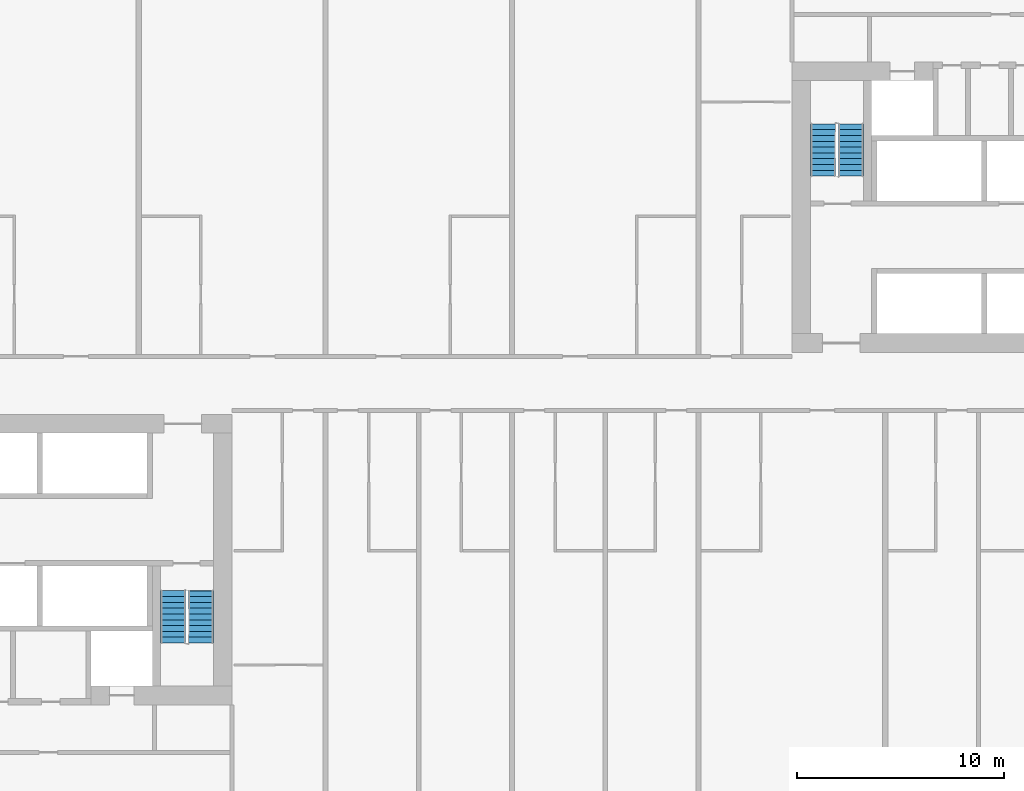
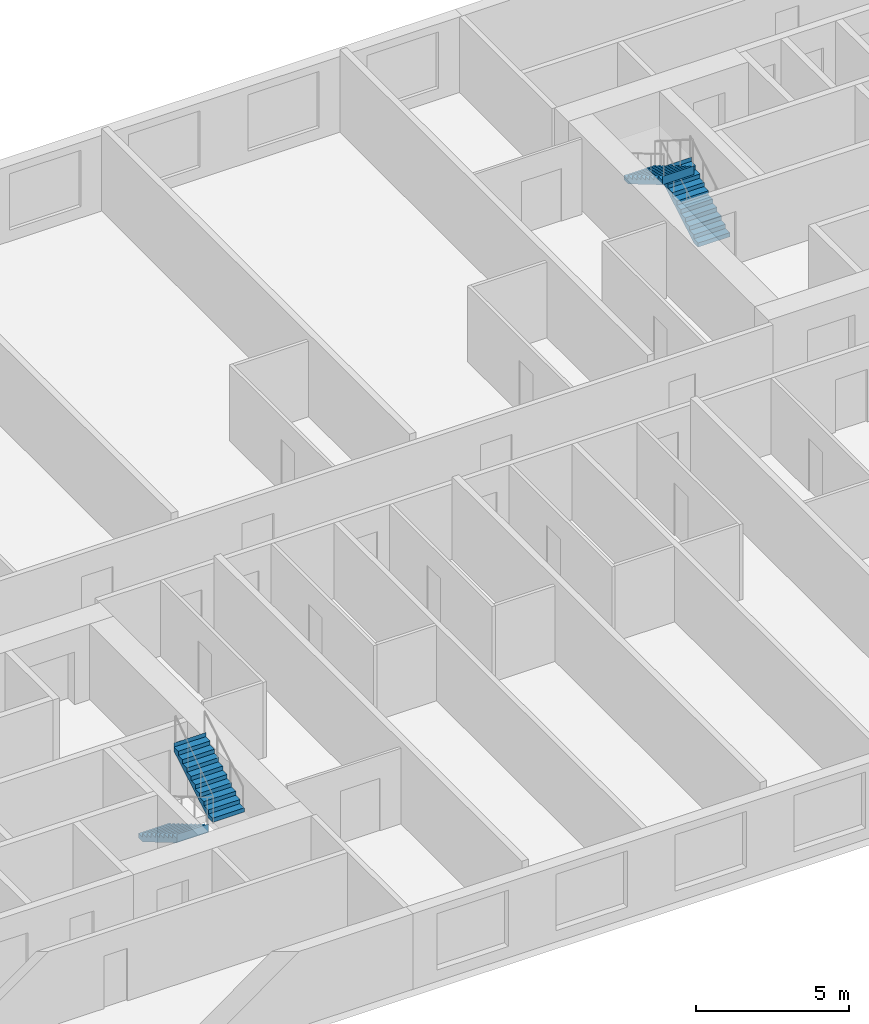
# One storey, part 10 of 12: 4 stair flights, 2 elements without a shape of their own.
"""IFC4 building model written with IfcOpenShell, lengths in metres."""

from ifc_helpers import new_model, si_unit, direction, frame, origin, place, context, subcontext, project, spatial, faceted_brep, material, type_object, element, aggregate, save


model = new_model("IFC4")

# Units and contexts
model_context = context("Model", 3, precision=1e-05, world=origin(), true_north=direction((0.0, 1.0)))
body_context = subcontext(model_context, "Body", "Model", "MODEL_VIEW")
ifc_project = project(units=[si_unit("LENGTHUNIT", "METRE"), si_unit("AREAUNIT", "SQUARE_METRE"), si_unit("VOLUMEUNIT", "CUBIC_METRE"), si_unit("PLANEANGLEUNIT", "RADIAN"), si_unit("MASSUNIT", "GRAM", prefix="KILO")], contexts=[model_context])

# Site, building, storey
site_placement = place(None, origin())
site = spatial("IfcSite", under=ifc_project, at=site_placement, CompositionType="ELEMENT")
building_placement = place(site_placement, origin())
building = spatial("IfcBuilding", under=site, at=building_placement, Name="Kajstack Hotel Tower", CompositionType="ELEMENT")
storey_placement = place(building_placement, frame((0.0, 0.0, 86.39990234375)))
storey = spatial("IfcBuildingStorey", under=building, at=storey_placement, Name="L17", CompositionType="ELEMENT", Elevation=86.39990234375)

# Stair, stair flights
ifc_material = material(Name="Concrete C40/50", Category="concrete")
stair_type = type_object("IfcStairType", Name="Exit stair 1200", PredefinedType="HALF_TURN_STAIR", material=ifc_material)
stair_1_placement = place(storey_placement, origin())
stair_1 = element("IfcStair", 1, at=stair_1_placement, inside=storey, type_object=stair_type, Name="L17 stair W2", PredefinedType="HALF_TURN_STAIR")
stair_flight_type = type_object("IfcStairFlightType", Name="Exit stair flight 1200", PredefinedType="STRAIGHT", material=ifc_material)
stair_flight_1_placement = place(storey_placement, frame((-16.35009765625, -10.0, 0.0), z_axis=(0.0, 0.0, 1.0), x_axis=(0.0, -1.0, 0.0)))
stair_flight_1 = element("IfcStairFlight", 2, at=stair_flight_1_placement, type_object=stair_flight_type, Name="W2 flight 1", NumberOfRisers=10, NumberOfTreads=9, PredefinedType="STRAIGHT", RiserHeight=0.165, TreadLength=0.28, context=body_context, shape_type="Brep", body=[
    faceted_brep([(0.295654296875, -0.60009765625, 0.0), (2.5205078125, -0.60009765625, 1.31103515625), (2.5205078125, -0.60009765625, 1.64990234375), (2.52001953125, -0.60009765625, 1.64990234375), (2.52001953125, -0.60009765625, 1.485107421875), (2.239990234375, -0.60009765625, 1.485107421875), (2.239990234375, -0.60009765625, 1.320068359375), (1.9599609375, -0.60009765625, 1.320068359375), (1.9599609375, -0.60009765625, 1.155029296875), (1.679931640625, -0.60009765625, 1.155029296875), (1.679931640625, -0.60009765625, 0.989990234375), (1.39990234375, -0.60009765625, 0.989990234375), (1.39990234375, -0.60009765625, 0.824951171875), (1.1201171875, -0.60009765625, 0.824951171875), (1.1201171875, -0.60009765625, 0.659912109375), (0.840087890625, -0.60009765625, 0.659912109375), (0.840087890625, -0.60009765625, 0.4951171875), (0.56005859375, -0.60009765625, 0.4951171875), (0.56005859375, -0.60009765625, 0.330078125), (0.280029296875, -0.60009765625, 0.330078125), (0.280029296875, -0.60009765625, 0.1650390625), (-0.00048828125, -0.60009765625, 0.1650390625), (-0.00048828125, -0.60009765625, 0.0), (-0.00048828125, 0.60009765625, 0.0), (-0.00048828125, 0.60009765625, 0.1650390625), (0.280029296875, 0.60009765625, 0.1650390625), (0.280029296875, 0.60009765625, 0.330078125), (0.56005859375, 0.60009765625, 0.330078125), (0.56005859375, 0.60009765625, 0.4951171875), (0.840087890625, 0.60009765625, 0.4951171875), (0.840087890625, 0.60009765625, 0.659912109375), (1.1201171875, 0.60009765625, 0.659912109375), (1.1201171875, 0.60009765625, 0.824951171875), (1.39990234375, 0.60009765625, 0.824951171875), (1.39990234375, 0.60009765625, 0.989990234375), (1.679931640625, 0.60009765625, 0.989990234375), (1.679931640625, 0.60009765625, 1.155029296875), (1.9599609375, 0.60009765625, 1.155029296875), (1.9599609375, 0.60009765625, 1.320068359375), (2.239990234375, 0.60009765625, 1.320068359375), (2.239990234375, 0.60009765625, 1.485107421875), (2.52001953125, 0.60009765625, 1.485107421875), (2.52001953125, 0.60009765625, 1.64990234375), (2.5205078125, 0.60009765625, 1.64990234375), (2.5205078125, 0.60009765625, 1.31103515625), (0.295654296875, 0.60009765625, 0.0), (-0.00048828125, -0.300048828125, 0.1650390625), (-0.00048828125, 0.0, 0.1650390625), (-0.00048828125, 0.300048828125, 0.1650390625), (-0.00048828125, 0.300048828125, 0.0), (-0.00048828125, 0.0, 0.0), (-0.00048828125, -0.300048828125, 0.0), (0.280029296875, -0.300048828125, 0.1650390625), (0.280029296875, 0.0, 0.1650390625), (0.280029296875, 0.300048828125, 0.1650390625), (0.280029296875, -0.300048828125, 0.330078125), (0.280029296875, 0.0, 0.330078125), (0.280029296875, 0.300048828125, 0.330078125), (0.56005859375, -0.300048828125, 0.330078125), (0.56005859375, 0.0, 0.330078125), (0.56005859375, 0.300048828125, 0.330078125), (0.56005859375, -0.300048828125, 0.4951171875), (0.56005859375, 0.0, 0.4951171875), (0.56005859375, 0.300048828125, 0.4951171875), (0.840087890625, -0.300048828125, 0.4951171875), (0.840087890625, 0.0, 0.4951171875), (0.840087890625, 0.300048828125, 0.4951171875), (0.840087890625, -0.300048828125, 0.659912109375), (0.840087890625, 0.0, 0.659912109375), (0.840087890625, 0.300048828125, 0.659912109375), (1.1201171875, -0.300048828125, 0.659912109375), (1.1201171875, 0.0, 0.659912109375), (1.1201171875, 0.300048828125, 0.659912109375), (1.1201171875, -0.300048828125, 0.824951171875), (1.1201171875, 0.0, 0.824951171875), (1.1201171875, 0.300048828125, 0.824951171875), (1.39990234375, -0.300048828125, 0.824951171875), (1.39990234375, 0.0, 0.824951171875), (1.39990234375, 0.300048828125, 0.824951171875), (1.39990234375, -0.300048828125, 0.989990234375), (1.39990234375, 0.0, 0.989990234375), (1.39990234375, 0.300048828125, 0.989990234375), (1.679931640625, -0.300048828125, 0.989990234375), (1.679931640625, 0.0, 0.989990234375), (1.679931640625, 0.300048828125, 0.989990234375), (1.679931640625, -0.300048828125, 1.155029296875), (1.679931640625, 0.0, 1.155029296875), (1.679931640625, 0.300048828125, 1.155029296875), (1.9599609375, -0.300048828125, 1.155029296875), (1.9599609375, 0.0, 1.155029296875), (1.9599609375, 0.300048828125, 1.155029296875), (1.9599609375, -0.300048828125, 1.320068359375), (1.9599609375, 0.0, 1.320068359375), (1.9599609375, 0.300048828125, 1.320068359375), (2.239990234375, -0.300048828125, 1.320068359375), (2.239990234375, 0.0, 1.320068359375), (2.239990234375, 0.300048828125, 1.320068359375), (2.239990234375, -0.300048828125, 1.485107421875), (2.239990234375, 0.0, 1.485107421875), (2.239990234375, 0.300048828125, 1.485107421875), (2.52001953125, -0.300048828125, 1.485107421875), (2.52001953125, 0.0, 1.485107421875), (2.52001953125, 0.300048828125, 1.485107421875), (2.52001953125, -0.300048828125, 1.64990234375), (2.52001953125, 0.0, 1.64990234375), (2.52001953125, 0.300048828125, 1.64990234375), (2.5205078125, -0.300048828125, 1.64990234375), (2.5205078125, 0.0, 1.64990234375), (2.5205078125, 0.300048828125, 1.64990234375), (2.5205078125, -0.300048828125, 1.31103515625), (2.5205078125, 0.0, 1.31103515625), (2.5205078125, 0.300048828125, 1.31103515625), (0.295654296875, -0.300048828125, 0.0), (0.295654296875, 0.0, 0.0), (0.295654296875, 0.300048828125, 0.0)], [[[0, 1, 2, 3, 4, 5, 6, 7, 8, 9, 10, 11, 12, 13, 14, 15, 16, 17, 18, 19, 20, 21, 22]], [[23, 24, 25, 26, 27, 28, 29, 30, 31, 32, 33, 34, 35, 36, 37, 38, 39, 40, 41, 42, 43, 44, 45]], [[21, 46, 47, 48, 24, 23, 49, 50, 51, 22]], [[20, 52, 53, 54, 25, 24, 48, 47, 46, 21]], [[19, 55, 56, 57, 26, 25, 54, 53, 52, 20]], [[18, 58, 59, 60, 27, 26, 57, 56, 55, 19]], [[17, 61, 62, 63, 28, 27, 60, 59, 58, 18]], [[16, 64, 65, 66, 29, 28, 63, 62, 61, 17]], [[15, 67, 68, 69, 30, 29, 66, 65, 64, 16]], [[14, 70, 71, 72, 31, 30, 69, 68, 67, 15]], [[13, 73, 74, 75, 32, 31, 72, 71, 70, 14]], [[12, 76, 77, 78, 33, 32, 75, 74, 73, 13]], [[11, 79, 80, 81, 34, 33, 78, 77, 76, 12]], [[10, 82, 83, 84, 35, 34, 81, 80, 79, 11]], [[9, 85, 86, 87, 36, 35, 84, 83, 82, 10]], [[8, 88, 89, 90, 37, 36, 87, 86, 85, 9]], [[7, 91, 92, 93, 38, 37, 90, 89, 88, 8]], [[6, 94, 95, 96, 39, 38, 93, 92, 91, 7]], [[5, 97, 98, 99, 40, 39, 96, 95, 94, 6]], [[4, 100, 101, 102, 41, 40, 99, 98, 97, 5]], [[3, 103, 104, 105, 42, 41, 102, 101, 100, 4]], [[2, 106, 107, 108, 43, 42, 105, 104, 103, 3]], [[1, 109, 110, 111, 44, 43, 108, 107, 106, 2]], [[0, 112, 113, 114, 45, 44, 111, 110, 109, 1]], [[22, 51, 50, 49, 23, 45, 114, 113, 112, 0]]]),
])
stair_flight_2_placement = place(storey_placement, frame((-15.0, -12.52001953125, 1.650146484375), z_axis=(0.0, 0.0, 1.0), x_axis=(0.0, 1.0, 0.0)))
stair_flight_2 = element("IfcStairFlight", 3, at=stair_flight_2_placement, type_object=stair_flight_type, Name="W2 flight 2", NumberOfRisers=10, NumberOfTreads=9, PredefinedType="STRAIGHT", RiserHeight=0.165, TreadLength=0.28, context=body_context, shape_type="Brep", body=[
    faceted_brep([(0.295654296875, -0.60009765625, 0.0), (2.5205078125, -0.60009765625, 1.31103515625), (2.5205078125, -0.60009765625, 1.64990234375), (2.52001953125, -0.60009765625, 1.64990234375), (2.52001953125, -0.60009765625, 1.485107421875), (2.239990234375, -0.60009765625, 1.485107421875), (2.239990234375, -0.60009765625, 1.320068359375), (1.9599609375, -0.60009765625, 1.320068359375), (1.9599609375, -0.60009765625, 1.155029296875), (1.679931640625, -0.60009765625, 1.155029296875), (1.679931640625, -0.60009765625, 0.989990234375), (1.39990234375, -0.60009765625, 0.989990234375), (1.39990234375, -0.60009765625, 0.824951171875), (1.1201171875, -0.60009765625, 0.824951171875), (1.1201171875, -0.60009765625, 0.659912109375), (0.840087890625, -0.60009765625, 0.659912109375), (0.840087890625, -0.60009765625, 0.4951171875), (0.56005859375, -0.60009765625, 0.4951171875), (0.56005859375, -0.60009765625, 0.330078125), (0.280029296875, -0.60009765625, 0.330078125), (0.280029296875, -0.60009765625, 0.1650390625), (-0.00048828125, -0.60009765625, 0.1650390625), (-0.00048828125, -0.60009765625, 0.0), (-0.00048828125, 0.60009765625, 0.0), (-0.00048828125, 0.60009765625, 0.1650390625), (0.280029296875, 0.60009765625, 0.1650390625), (0.280029296875, 0.60009765625, 0.330078125), (0.56005859375, 0.60009765625, 0.330078125), (0.56005859375, 0.60009765625, 0.4951171875), (0.840087890625, 0.60009765625, 0.4951171875), (0.840087890625, 0.60009765625, 0.659912109375), (1.1201171875, 0.60009765625, 0.659912109375), (1.1201171875, 0.60009765625, 0.824951171875), (1.39990234375, 0.60009765625, 0.824951171875), (1.39990234375, 0.60009765625, 0.989990234375), (1.679931640625, 0.60009765625, 0.989990234375), (1.679931640625, 0.60009765625, 1.155029296875), (1.9599609375, 0.60009765625, 1.155029296875), (1.9599609375, 0.60009765625, 1.320068359375), (2.239990234375, 0.60009765625, 1.320068359375), (2.239990234375, 0.60009765625, 1.485107421875), (2.52001953125, 0.60009765625, 1.485107421875), (2.52001953125, 0.60009765625, 1.64990234375), (2.5205078125, 0.60009765625, 1.64990234375), (2.5205078125, 0.60009765625, 1.31103515625), (0.295654296875, 0.60009765625, 0.0), (-0.00048828125, -0.300048828125, 0.1650390625), (-0.00048828125, 0.0, 0.1650390625), (-0.00048828125, 0.300048828125, 0.1650390625), (-0.00048828125, 0.300048828125, 0.0), (-0.00048828125, 0.0, 0.0), (-0.00048828125, -0.300048828125, 0.0), (0.280029296875, -0.300048828125, 0.1650390625), (0.280029296875, 0.0, 0.1650390625), (0.280029296875, 0.300048828125, 0.1650390625), (0.280029296875, -0.300048828125, 0.330078125), (0.280029296875, 0.0, 0.330078125), (0.280029296875, 0.300048828125, 0.330078125), (0.56005859375, -0.300048828125, 0.330078125), (0.56005859375, 0.0, 0.330078125), (0.56005859375, 0.300048828125, 0.330078125), (0.56005859375, -0.300048828125, 0.4951171875), (0.56005859375, 0.0, 0.4951171875), (0.56005859375, 0.300048828125, 0.4951171875), (0.840087890625, -0.300048828125, 0.4951171875), (0.840087890625, 0.0, 0.4951171875), (0.840087890625, 0.300048828125, 0.4951171875), (0.840087890625, -0.300048828125, 0.659912109375), (0.840087890625, 0.0, 0.659912109375), (0.840087890625, 0.300048828125, 0.659912109375), (1.1201171875, -0.300048828125, 0.659912109375), (1.1201171875, 0.0, 0.659912109375), (1.1201171875, 0.300048828125, 0.659912109375), (1.1201171875, -0.300048828125, 0.824951171875), (1.1201171875, 0.0, 0.824951171875), (1.1201171875, 0.300048828125, 0.824951171875), (1.39990234375, -0.300048828125, 0.824951171875), (1.39990234375, 0.0, 0.824951171875), (1.39990234375, 0.300048828125, 0.824951171875), (1.39990234375, -0.300048828125, 0.989990234375), (1.39990234375, 0.0, 0.989990234375), (1.39990234375, 0.300048828125, 0.989990234375), (1.679931640625, -0.300048828125, 0.989990234375), (1.679931640625, 0.0, 0.989990234375), (1.679931640625, 0.300048828125, 0.989990234375), (1.679931640625, -0.300048828125, 1.155029296875), (1.679931640625, 0.0, 1.155029296875), (1.679931640625, 0.300048828125, 1.155029296875), (1.9599609375, -0.300048828125, 1.155029296875), (1.9599609375, 0.0, 1.155029296875), (1.9599609375, 0.300048828125, 1.155029296875), (1.9599609375, -0.300048828125, 1.320068359375), (1.9599609375, 0.0, 1.320068359375), (1.9599609375, 0.300048828125, 1.320068359375), (2.239990234375, -0.300048828125, 1.320068359375), (2.239990234375, 0.0, 1.320068359375), (2.239990234375, 0.300048828125, 1.320068359375), (2.239990234375, -0.300048828125, 1.485107421875), (2.239990234375, 0.0, 1.485107421875), (2.239990234375, 0.300048828125, 1.485107421875), (2.52001953125, -0.300048828125, 1.485107421875), (2.52001953125, 0.0, 1.485107421875), (2.52001953125, 0.300048828125, 1.485107421875), (2.52001953125, -0.300048828125, 1.64990234375), (2.52001953125, 0.0, 1.64990234375), (2.52001953125, 0.300048828125, 1.64990234375), (2.5205078125, -0.300048828125, 1.64990234375), (2.5205078125, 0.0, 1.64990234375), (2.5205078125, 0.300048828125, 1.64990234375), (2.5205078125, -0.300048828125, 1.31103515625), (2.5205078125, 0.0, 1.31103515625), (2.5205078125, 0.300048828125, 1.31103515625), (0.295654296875, -0.300048828125, 0.0), (0.295654296875, 0.0, 0.0), (0.295654296875, 0.300048828125, 0.0)], [[[0, 1, 2, 3, 4, 5, 6, 7, 8, 9, 10, 11, 12, 13, 14, 15, 16, 17, 18, 19, 20, 21, 22]], [[23, 24, 25, 26, 27, 28, 29, 30, 31, 32, 33, 34, 35, 36, 37, 38, 39, 40, 41, 42, 43, 44, 45]], [[21, 46, 47, 48, 24, 23, 49, 50, 51, 22]], [[20, 52, 53, 54, 25, 24, 48, 47, 46, 21]], [[19, 55, 56, 57, 26, 25, 54, 53, 52, 20]], [[18, 58, 59, 60, 27, 26, 57, 56, 55, 19]], [[17, 61, 62, 63, 28, 27, 60, 59, 58, 18]], [[16, 64, 65, 66, 29, 28, 63, 62, 61, 17]], [[15, 67, 68, 69, 30, 29, 66, 65, 64, 16]], [[14, 70, 71, 72, 31, 30, 69, 68, 67, 15]], [[13, 73, 74, 75, 32, 31, 72, 71, 70, 14]], [[12, 76, 77, 78, 33, 32, 75, 74, 73, 13]], [[11, 79, 80, 81, 34, 33, 78, 77, 76, 12]], [[10, 82, 83, 84, 35, 34, 81, 80, 79, 11]], [[9, 85, 86, 87, 36, 35, 84, 83, 82, 10]], [[8, 88, 89, 90, 37, 36, 87, 86, 85, 9]], [[7, 91, 92, 93, 38, 37, 90, 89, 88, 8]], [[6, 94, 95, 96, 39, 38, 93, 92, 91, 7]], [[5, 97, 98, 99, 40, 39, 96, 95, 94, 6]], [[4, 100, 101, 102, 41, 40, 99, 98, 97, 5]], [[3, 103, 104, 105, 42, 41, 102, 101, 100, 4]], [[2, 106, 107, 108, 43, 42, 105, 104, 103, 3]], [[1, 109, 110, 111, 44, 43, 108, 107, 106, 2]], [[0, 112, 113, 114, 45, 44, 111, 110, 109, 1]], [[22, 51, 50, 49, 23, 45, 114, 113, 112, 0]]]),
])
aggregate(stair_1, [stair_flight_1, stair_flight_2])

stair_2_placement = place(storey_placement, origin())
stair_2 = element("IfcStair", 4, at=stair_2_placement, inside=storey, type_object=stair_type, Name="L17 stair E2", PredefinedType="HALF_TURN_STAIR")
stair_flight_3_placement = place(storey_placement, frame((16.35009765625, 10.0, 0.0), z_axis=(0.0, 0.0, 1.0), x_axis=(0.0, 1.0, 0.0)))
stair_flight_3 = element("IfcStairFlight", 5, at=stair_flight_3_placement, type_object=stair_flight_type, Name="E2 flight 1", NumberOfRisers=10, NumberOfTreads=9, PredefinedType="STRAIGHT", RiserHeight=0.165, TreadLength=0.28, context=body_context, shape_type="Brep", body=[
    faceted_brep([(0.295654296875, -0.60009765625, 0.0), (2.5205078125, -0.60009765625, 1.31103515625), (2.5205078125, -0.60009765625, 1.64990234375), (2.52001953125, -0.60009765625, 1.64990234375), (2.52001953125, -0.60009765625, 1.485107421875), (2.239990234375, -0.60009765625, 1.485107421875), (2.239990234375, -0.60009765625, 1.320068359375), (1.9599609375, -0.60009765625, 1.320068359375), (1.9599609375, -0.60009765625, 1.155029296875), (1.679931640625, -0.60009765625, 1.155029296875), (1.679931640625, -0.60009765625, 0.989990234375), (1.39990234375, -0.60009765625, 0.989990234375), (1.39990234375, -0.60009765625, 0.824951171875), (1.1201171875, -0.60009765625, 0.824951171875), (1.1201171875, -0.60009765625, 0.659912109375), (0.840087890625, -0.60009765625, 0.659912109375), (0.840087890625, -0.60009765625, 0.4951171875), (0.56005859375, -0.60009765625, 0.4951171875), (0.56005859375, -0.60009765625, 0.330078125), (0.280029296875, -0.60009765625, 0.330078125), (0.280029296875, -0.60009765625, 0.1650390625), (-0.00048828125, -0.60009765625, 0.1650390625), (-0.00048828125, -0.60009765625, 0.0), (-0.00048828125, 0.60009765625, 0.0), (-0.00048828125, 0.60009765625, 0.1650390625), (0.280029296875, 0.60009765625, 0.1650390625), (0.280029296875, 0.60009765625, 0.330078125), (0.56005859375, 0.60009765625, 0.330078125), (0.56005859375, 0.60009765625, 0.4951171875), (0.840087890625, 0.60009765625, 0.4951171875), (0.840087890625, 0.60009765625, 0.659912109375), (1.1201171875, 0.60009765625, 0.659912109375), (1.1201171875, 0.60009765625, 0.824951171875), (1.39990234375, 0.60009765625, 0.824951171875), (1.39990234375, 0.60009765625, 0.989990234375), (1.679931640625, 0.60009765625, 0.989990234375), (1.679931640625, 0.60009765625, 1.155029296875), (1.9599609375, 0.60009765625, 1.155029296875), (1.9599609375, 0.60009765625, 1.320068359375), (2.239990234375, 0.60009765625, 1.320068359375), (2.239990234375, 0.60009765625, 1.485107421875), (2.52001953125, 0.60009765625, 1.485107421875), (2.52001953125, 0.60009765625, 1.64990234375), (2.5205078125, 0.60009765625, 1.64990234375), (2.5205078125, 0.60009765625, 1.31103515625), (0.295654296875, 0.60009765625, 0.0), (-0.00048828125, -0.300048828125, 0.1650390625), (-0.00048828125, 0.0, 0.1650390625), (-0.00048828125, 0.300048828125, 0.1650390625), (-0.00048828125, 0.300048828125, 0.0), (-0.00048828125, 0.0, 0.0), (-0.00048828125, -0.300048828125, 0.0), (0.280029296875, -0.300048828125, 0.1650390625), (0.280029296875, 0.0, 0.1650390625), (0.280029296875, 0.300048828125, 0.1650390625), (0.280029296875, -0.300048828125, 0.330078125), (0.280029296875, 0.0, 0.330078125), (0.280029296875, 0.300048828125, 0.330078125), (0.56005859375, -0.300048828125, 0.330078125), (0.56005859375, 0.0, 0.330078125), (0.56005859375, 0.300048828125, 0.330078125), (0.56005859375, -0.300048828125, 0.4951171875), (0.56005859375, 0.0, 0.4951171875), (0.56005859375, 0.300048828125, 0.4951171875), (0.840087890625, -0.300048828125, 0.4951171875), (0.840087890625, 0.0, 0.4951171875), (0.840087890625, 0.300048828125, 0.4951171875), (0.840087890625, -0.300048828125, 0.659912109375), (0.840087890625, 0.0, 0.659912109375), (0.840087890625, 0.300048828125, 0.659912109375), (1.1201171875, -0.300048828125, 0.659912109375), (1.1201171875, 0.0, 0.659912109375), (1.1201171875, 0.300048828125, 0.659912109375), (1.1201171875, -0.300048828125, 0.824951171875), (1.1201171875, 0.0, 0.824951171875), (1.1201171875, 0.300048828125, 0.824951171875), (1.39990234375, -0.300048828125, 0.824951171875), (1.39990234375, 0.0, 0.824951171875), (1.39990234375, 0.300048828125, 0.824951171875), (1.39990234375, -0.300048828125, 0.989990234375), (1.39990234375, 0.0, 0.989990234375), (1.39990234375, 0.300048828125, 0.989990234375), (1.679931640625, -0.300048828125, 0.989990234375), (1.679931640625, 0.0, 0.989990234375), (1.679931640625, 0.300048828125, 0.989990234375), (1.679931640625, -0.300048828125, 1.155029296875), (1.679931640625, 0.0, 1.155029296875), (1.679931640625, 0.300048828125, 1.155029296875), (1.9599609375, -0.300048828125, 1.155029296875), (1.9599609375, 0.0, 1.155029296875), (1.9599609375, 0.300048828125, 1.155029296875), (1.9599609375, -0.300048828125, 1.320068359375), (1.9599609375, 0.0, 1.320068359375), (1.9599609375, 0.300048828125, 1.320068359375), (2.239990234375, -0.300048828125, 1.320068359375), (2.239990234375, 0.0, 1.320068359375), (2.239990234375, 0.300048828125, 1.320068359375), (2.239990234375, -0.300048828125, 1.485107421875), (2.239990234375, 0.0, 1.485107421875), (2.239990234375, 0.300048828125, 1.485107421875), (2.52001953125, -0.300048828125, 1.485107421875), (2.52001953125, 0.0, 1.485107421875), (2.52001953125, 0.300048828125, 1.485107421875), (2.52001953125, -0.300048828125, 1.64990234375), (2.52001953125, 0.0, 1.64990234375), (2.52001953125, 0.300048828125, 1.64990234375), (2.5205078125, -0.300048828125, 1.64990234375), (2.5205078125, 0.0, 1.64990234375), (2.5205078125, 0.300048828125, 1.64990234375), (2.5205078125, -0.300048828125, 1.31103515625), (2.5205078125, 0.0, 1.31103515625), (2.5205078125, 0.300048828125, 1.31103515625), (0.295654296875, -0.300048828125, 0.0), (0.295654296875, 0.0, 0.0), (0.295654296875, 0.300048828125, 0.0)], [[[0, 1, 2, 3, 4, 5, 6, 7, 8, 9, 10, 11, 12, 13, 14, 15, 16, 17, 18, 19, 20, 21, 22]], [[23, 24, 25, 26, 27, 28, 29, 30, 31, 32, 33, 34, 35, 36, 37, 38, 39, 40, 41, 42, 43, 44, 45]], [[21, 46, 47, 48, 24, 23, 49, 50, 51, 22]], [[20, 52, 53, 54, 25, 24, 48, 47, 46, 21]], [[19, 55, 56, 57, 26, 25, 54, 53, 52, 20]], [[18, 58, 59, 60, 27, 26, 57, 56, 55, 19]], [[17, 61, 62, 63, 28, 27, 60, 59, 58, 18]], [[16, 64, 65, 66, 29, 28, 63, 62, 61, 17]], [[15, 67, 68, 69, 30, 29, 66, 65, 64, 16]], [[14, 70, 71, 72, 31, 30, 69, 68, 67, 15]], [[13, 73, 74, 75, 32, 31, 72, 71, 70, 14]], [[12, 76, 77, 78, 33, 32, 75, 74, 73, 13]], [[11, 79, 80, 81, 34, 33, 78, 77, 76, 12]], [[10, 82, 83, 84, 35, 34, 81, 80, 79, 11]], [[9, 85, 86, 87, 36, 35, 84, 83, 82, 10]], [[8, 88, 89, 90, 37, 36, 87, 86, 85, 9]], [[7, 91, 92, 93, 38, 37, 90, 89, 88, 8]], [[6, 94, 95, 96, 39, 38, 93, 92, 91, 7]], [[5, 97, 98, 99, 40, 39, 96, 95, 94, 6]], [[4, 100, 101, 102, 41, 40, 99, 98, 97, 5]], [[3, 103, 104, 105, 42, 41, 102, 101, 100, 4]], [[2, 106, 107, 108, 43, 42, 105, 104, 103, 3]], [[1, 109, 110, 111, 44, 43, 108, 107, 106, 2]], [[0, 112, 113, 114, 45, 44, 111, 110, 109, 1]], [[22, 51, 50, 49, 23, 45, 114, 113, 112, 0]]]),
])
stair_flight_4_placement = place(storey_placement, frame((15.0, 12.52001953125, 1.650146484375), z_axis=(0.0, 0.0, 1.0), x_axis=(0.0, -1.0, 0.0)))
stair_flight_4 = element("IfcStairFlight", 6, at=stair_flight_4_placement, type_object=stair_flight_type, Name="E2 flight 2", NumberOfRisers=10, NumberOfTreads=9, PredefinedType="STRAIGHT", RiserHeight=0.165, TreadLength=0.28, context=body_context, shape_type="Brep", body=[
    faceted_brep([(0.295654296875, -0.60009765625, 0.0), (2.5205078125, -0.60009765625, 1.31103515625), (2.5205078125, -0.60009765625, 1.64990234375), (2.52001953125, -0.60009765625, 1.64990234375), (2.52001953125, -0.60009765625, 1.485107421875), (2.239990234375, -0.60009765625, 1.485107421875), (2.239990234375, -0.60009765625, 1.320068359375), (1.9599609375, -0.60009765625, 1.320068359375), (1.9599609375, -0.60009765625, 1.155029296875), (1.679931640625, -0.60009765625, 1.155029296875), (1.679931640625, -0.60009765625, 0.989990234375), (1.39990234375, -0.60009765625, 0.989990234375), (1.39990234375, -0.60009765625, 0.824951171875), (1.1201171875, -0.60009765625, 0.824951171875), (1.1201171875, -0.60009765625, 0.659912109375), (0.840087890625, -0.60009765625, 0.659912109375), (0.840087890625, -0.60009765625, 0.4951171875), (0.56005859375, -0.60009765625, 0.4951171875), (0.56005859375, -0.60009765625, 0.330078125), (0.280029296875, -0.60009765625, 0.330078125), (0.280029296875, -0.60009765625, 0.1650390625), (-0.00048828125, -0.60009765625, 0.1650390625), (-0.00048828125, -0.60009765625, 0.0), (-0.00048828125, 0.60009765625, 0.0), (-0.00048828125, 0.60009765625, 0.1650390625), (0.280029296875, 0.60009765625, 0.1650390625), (0.280029296875, 0.60009765625, 0.330078125), (0.56005859375, 0.60009765625, 0.330078125), (0.56005859375, 0.60009765625, 0.4951171875), (0.840087890625, 0.60009765625, 0.4951171875), (0.840087890625, 0.60009765625, 0.659912109375), (1.1201171875, 0.60009765625, 0.659912109375), (1.1201171875, 0.60009765625, 0.824951171875), (1.39990234375, 0.60009765625, 0.824951171875), (1.39990234375, 0.60009765625, 0.989990234375), (1.679931640625, 0.60009765625, 0.989990234375), (1.679931640625, 0.60009765625, 1.155029296875), (1.9599609375, 0.60009765625, 1.155029296875), (1.9599609375, 0.60009765625, 1.320068359375), (2.239990234375, 0.60009765625, 1.320068359375), (2.239990234375, 0.60009765625, 1.485107421875), (2.52001953125, 0.60009765625, 1.485107421875), (2.52001953125, 0.60009765625, 1.64990234375), (2.5205078125, 0.60009765625, 1.64990234375), (2.5205078125, 0.60009765625, 1.31103515625), (0.295654296875, 0.60009765625, 0.0), (-0.00048828125, -0.300048828125, 0.1650390625), (-0.00048828125, 0.0, 0.1650390625), (-0.00048828125, 0.300048828125, 0.1650390625), (-0.00048828125, 0.300048828125, 0.0), (-0.00048828125, 0.0, 0.0), (-0.00048828125, -0.300048828125, 0.0), (0.280029296875, -0.300048828125, 0.1650390625), (0.280029296875, 0.0, 0.1650390625), (0.280029296875, 0.300048828125, 0.1650390625), (0.280029296875, -0.300048828125, 0.330078125), (0.280029296875, 0.0, 0.330078125), (0.280029296875, 0.300048828125, 0.330078125), (0.56005859375, -0.300048828125, 0.330078125), (0.56005859375, 0.0, 0.330078125), (0.56005859375, 0.300048828125, 0.330078125), (0.56005859375, -0.300048828125, 0.4951171875), (0.56005859375, 0.0, 0.4951171875), (0.56005859375, 0.300048828125, 0.4951171875), (0.840087890625, -0.300048828125, 0.4951171875), (0.840087890625, 0.0, 0.4951171875), (0.840087890625, 0.300048828125, 0.4951171875), (0.840087890625, -0.300048828125, 0.659912109375), (0.840087890625, 0.0, 0.659912109375), (0.840087890625, 0.300048828125, 0.659912109375), (1.1201171875, -0.300048828125, 0.659912109375), (1.1201171875, 0.0, 0.659912109375), (1.1201171875, 0.300048828125, 0.659912109375), (1.1201171875, -0.300048828125, 0.824951171875), (1.1201171875, 0.0, 0.824951171875), (1.1201171875, 0.300048828125, 0.824951171875), (1.39990234375, -0.300048828125, 0.824951171875), (1.39990234375, 0.0, 0.824951171875), (1.39990234375, 0.300048828125, 0.824951171875), (1.39990234375, -0.300048828125, 0.989990234375), (1.39990234375, 0.0, 0.989990234375), (1.39990234375, 0.300048828125, 0.989990234375), (1.679931640625, -0.300048828125, 0.989990234375), (1.679931640625, 0.0, 0.989990234375), (1.679931640625, 0.300048828125, 0.989990234375), (1.679931640625, -0.300048828125, 1.155029296875), (1.679931640625, 0.0, 1.155029296875), (1.679931640625, 0.300048828125, 1.155029296875), (1.9599609375, -0.300048828125, 1.155029296875), (1.9599609375, 0.0, 1.155029296875), (1.9599609375, 0.300048828125, 1.155029296875), (1.9599609375, -0.300048828125, 1.320068359375), (1.9599609375, 0.0, 1.320068359375), (1.9599609375, 0.300048828125, 1.320068359375), (2.239990234375, -0.300048828125, 1.320068359375), (2.239990234375, 0.0, 1.320068359375), (2.239990234375, 0.300048828125, 1.320068359375), (2.239990234375, -0.300048828125, 1.485107421875), (2.239990234375, 0.0, 1.485107421875), (2.239990234375, 0.300048828125, 1.485107421875), (2.52001953125, -0.300048828125, 1.485107421875), (2.52001953125, 0.0, 1.485107421875), (2.52001953125, 0.300048828125, 1.485107421875), (2.52001953125, -0.300048828125, 1.64990234375), (2.52001953125, 0.0, 1.64990234375), (2.52001953125, 0.300048828125, 1.64990234375), (2.5205078125, -0.300048828125, 1.64990234375), (2.5205078125, 0.0, 1.64990234375), (2.5205078125, 0.300048828125, 1.64990234375), (2.5205078125, -0.300048828125, 1.31103515625), (2.5205078125, 0.0, 1.31103515625), (2.5205078125, 0.300048828125, 1.31103515625), (0.295654296875, -0.300048828125, 0.0), (0.295654296875, 0.0, 0.0), (0.295654296875, 0.300048828125, 0.0)], [[[0, 1, 2, 3, 4, 5, 6, 7, 8, 9, 10, 11, 12, 13, 14, 15, 16, 17, 18, 19, 20, 21, 22]], [[23, 24, 25, 26, 27, 28, 29, 30, 31, 32, 33, 34, 35, 36, 37, 38, 39, 40, 41, 42, 43, 44, 45]], [[21, 46, 47, 48, 24, 23, 49, 50, 51, 22]], [[20, 52, 53, 54, 25, 24, 48, 47, 46, 21]], [[19, 55, 56, 57, 26, 25, 54, 53, 52, 20]], [[18, 58, 59, 60, 27, 26, 57, 56, 55, 19]], [[17, 61, 62, 63, 28, 27, 60, 59, 58, 18]], [[16, 64, 65, 66, 29, 28, 63, 62, 61, 17]], [[15, 67, 68, 69, 30, 29, 66, 65, 64, 16]], [[14, 70, 71, 72, 31, 30, 69, 68, 67, 15]], [[13, 73, 74, 75, 32, 31, 72, 71, 70, 14]], [[12, 76, 77, 78, 33, 32, 75, 74, 73, 13]], [[11, 79, 80, 81, 34, 33, 78, 77, 76, 12]], [[10, 82, 83, 84, 35, 34, 81, 80, 79, 11]], [[9, 85, 86, 87, 36, 35, 84, 83, 82, 10]], [[8, 88, 89, 90, 37, 36, 87, 86, 85, 9]], [[7, 91, 92, 93, 38, 37, 90, 89, 88, 8]], [[6, 94, 95, 96, 39, 38, 93, 92, 91, 7]], [[5, 97, 98, 99, 40, 39, 96, 95, 94, 6]], [[4, 100, 101, 102, 41, 40, 99, 98, 97, 5]], [[3, 103, 104, 105, 42, 41, 102, 101, 100, 4]], [[2, 106, 107, 108, 43, 42, 105, 104, 103, 3]], [[1, 109, 110, 111, 44, 43, 108, 107, 106, 2]], [[0, 112, 113, 114, 45, 44, 111, 110, 109, 1]], [[22, 51, 50, 49, 23, 45, 114, 113, 112, 0]]]),
])
aggregate(stair_2, [stair_flight_3, stair_flight_4])

save(model, "model.ifc")
